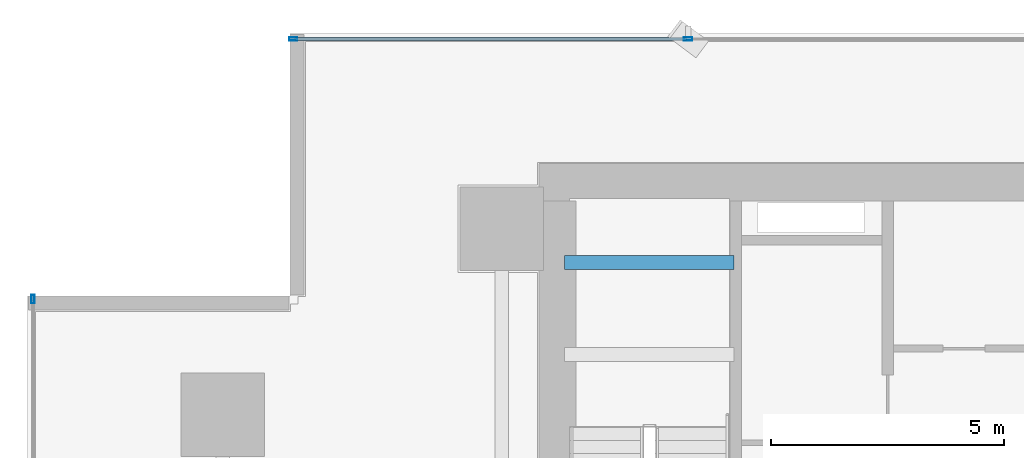
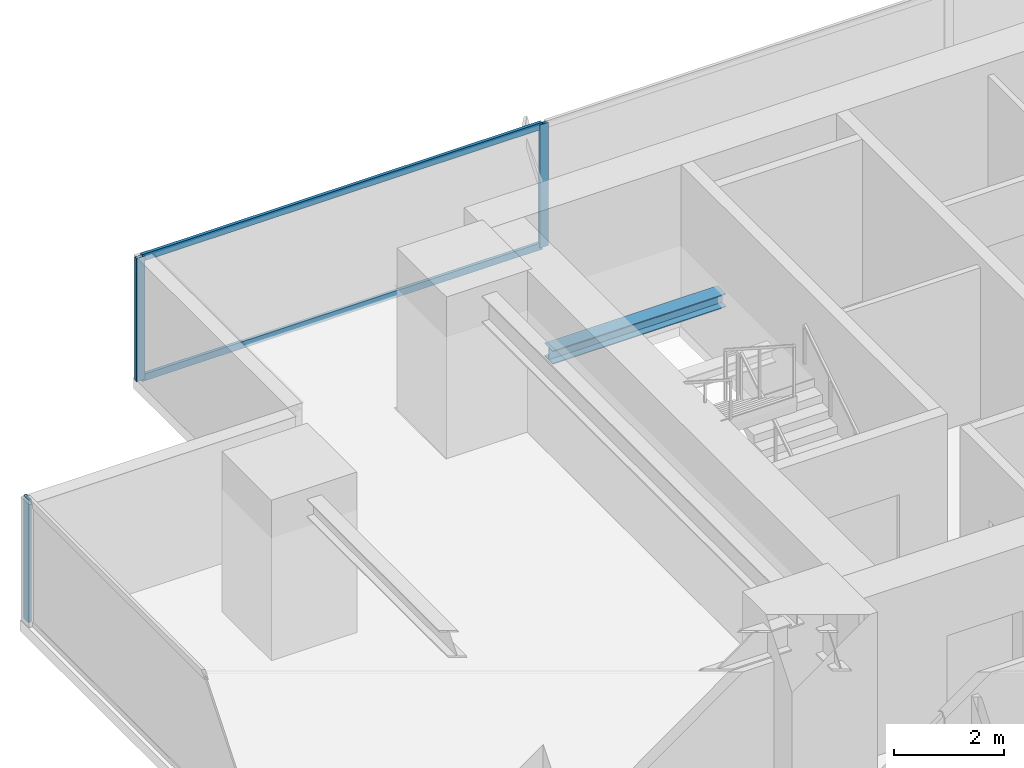
# One storey, part 18 of 34: 5 members, 1 beam, 2 elements without a shape of their own.
"""IFC4 building model written with IfcOpenShell, lengths in metres."""

from ifc_helpers import new_model, si_unit, direction, frame, origin, origin_2d, place, context, subcontext, project, spatial, hollow_rectangle, i_section, extrude, source, transform, mapped, material, layer, layer_set, material_profile, profile_set, type_object, element, aggregate, save


model = new_model("IFC4")

# Units and contexts
model_context = context("Model", 3, precision=1e-05, world=origin(), true_north=direction((0.0, 1.0)))
body_context = subcontext(model_context, "Body", "Model", "MODEL_VIEW")
ifc_project = project(units=[si_unit("LENGTHUNIT", "METRE"), si_unit("AREAUNIT", "SQUARE_METRE"), si_unit("VOLUMEUNIT", "CUBIC_METRE"), si_unit("PLANEANGLEUNIT", "RADIAN"), si_unit("MASSUNIT", "GRAM", prefix="KILO")], contexts=[model_context])

# Site, building, storey
site_placement = place(None, origin())
site = spatial("IfcSite", under=ifc_project, at=site_placement, CompositionType="ELEMENT")
building_placement = place(site_placement, origin())
building = spatial("IfcBuilding", under=site, at=building_placement, Name="Sumidabori Civic Tower", CompositionType="ELEMENT")
storey_placement = place(building_placement, frame((0.0, 0.0, 34.39990234375)))
storey = spatial("IfcBuildingStorey", under=building, at=storey_placement, Name="L08", CompositionType="ELEMENT", Elevation=34.39990234375)

# Beam
ifc_material_1 = material(Name="Steel SN490", Category="steel")
ifc_material_profile_1 = material_profile(ifc_material_1, i_section(OverallWidth=0.300048828125, OverallDepth=0.300048828125, WebThickness=0.010986328125, FlangeThickness=0.01904296875, at=origin_2d()), Name="HE 300 B")
ifc_profile_set_1 = profile_set([ifc_material_profile_1], Name="Steel SN490")
beam_type = type_object("IfcBeamType", Name="BM-LDG-300", PredefinedType="BEAM", material=ifc_profile_set_1)
shared_shape_1 = source(origin(), body_context, "Body", "SweptSolid", [
    extrude(i_section(OverallWidth=0.300048828125, OverallDepth=0.300048828125, WebThickness=0.010986328125, FlangeThickness=0.01904296875, at=origin_2d()), origin(), (0.0, 0.0, 1.0), 3.64990234375),
])
beam_placement = place(storey_placement, frame((-15.449951171875, 22.069580078125, 1.4501953125), z_axis=(1.0, 0.0, 0.0), x_axis=(0.0, 1.0, 0.0)))
element("IfcBeam", 1, at=beam_placement, inside=storey, type_object=beam_type, Name="Stair ST-1 Landing Trimmer Beam L08-1B", PredefinedType="BEAM", context=body_context, shape_type="MappedRepresentation", body=[
    mapped(shared_shape_1, transform((0.0, 0.0, 0.0), x_axis=(1.0, 0.0, 0.0), y_axis=(0.0, 1.0, 0.0), z_axis=(0.0, 0.0, 1.0), scale=1.0)),
])

# Curtain wall, members
ifc_material_2 = material(Name="Anodised Bronze Aluminium AW-6063-T6", Category="aluminium")
ifc_layer = layer(ifc_material_2, 0.179931640625, Name="Anodised Bronze Aluminium AW-6063-T6")
ifc_layer_set = layer_set([ifc_layer], Name="Anodised Bronze Aluminium AW-6063-T6")
curtain_wall_type = type_object("IfcCurtainWallType", Name="CW-SYS-2", PredefinedType="NOTDEFINED", material=ifc_layer_set)
curtain_wall_1_placement = place(storey_placement, origin())
curtain_wall_1 = element("IfcCurtainWall", 2, at=curtain_wall_1_placement, inside=storey, type_object=curtain_wall_type, Name="Curtain Wall CW:L08:R07", PredefinedType="NOTDEFINED")
ifc_material_profile_2 = material_profile(ifc_material_2, hollow_rectangle(XDim=0.070068359375, YDim=0.179931640625, WallThickness=0.006103515625, at=origin_2d()), Name="ALU MULLION 180x70")
ifc_profile_set_2 = profile_set([ifc_material_profile_2], Name="Anodised Bronze Aluminium AW-6063-T6")
member_type_1 = type_object("IfcMemberType", Name="CW-MUL-180", PredefinedType="MULLION", material=ifc_profile_set_2)
shared_shape_2 = source(origin(), body_context, "Body", "SweptSolid", [
    extrude(hollow_rectangle(XDim=0.070068359375, YDim=0.179931640625, WallThickness=0.006103515625, at=origin_2d()), origin(), (0.0, 0.0, 1.0), 2.739990234375),
])
member_1_placement = place(storey_placement, frame((-12.7919921875, 26.8798828125, 0.0), z_axis=(0.0, 0.0, 1.0), x_axis=(0.0, -1.0, 0.0)))
member_1 = element("IfcMember", 3, at=member_1_placement, type_object=member_type_1, Name="CW-2 mullion 5", PredefinedType="MULLION", context=body_context, shape_type="MappedRepresentation", body=[
    mapped(shared_shape_2, transform((0.0, 0.0, 0.0), x_axis=(1.0, 0.0, 0.0), y_axis=(0.0, 1.0, 0.0), z_axis=(0.0, 0.0, 1.0), scale=1.0)),
])
member_2_placement = place(storey_placement, frame((-21.284912109375, 26.8798828125, 0.0), z_axis=(0.0, 0.0, 1.0), x_axis=(0.0, -1.0, 0.0)))
member_2 = element("IfcMember", 4, at=member_2_placement, type_object=member_type_1, Name="CW-2 mullion 6", PredefinedType="MULLION", context=body_context, shape_type="MappedRepresentation", body=[
    mapped(shared_shape_2, transform((0.0, 0.0, 0.0), x_axis=(1.0, 0.0, 0.0), y_axis=(0.0, 1.0, 0.0), z_axis=(0.0, 0.0, 1.0), scale=1.0)),
])

# Curtain wall, member
curtain_wall_2_placement = place(storey_placement, origin())
curtain_wall_2 = element("IfcCurtainWall", 5, at=curtain_wall_2_placement, inside=storey, type_object=curtain_wall_type, Name="Curtain Wall CW:L08:R10", PredefinedType="NOTDEFINED")
member_3_placement = place(storey_placement, frame((-26.8798828125, 21.284912109375, 0.0), z_axis=(0.0, 0.0, 1.0), x_axis=(1.0, 0.0, 0.0)))
member_3 = element("IfcMember", 6, at=member_3_placement, type_object=member_type_1, Name="CW-2 mullion 1", PredefinedType="MULLION", context=body_context, shape_type="MappedRepresentation", body=[
    mapped(shared_shape_2, transform((0.0, 0.0, 0.0), x_axis=(1.0, 0.0, 0.0), y_axis=(0.0, 1.0, 0.0), z_axis=(0.0, 0.0, 1.0), scale=1.0)),
])
aggregate(curtain_wall_2, [member_3])

# Member
ifc_material_profile_3 = material_profile(ifc_material_2, hollow_rectangle(XDim=0.06494140625, YDim=0.14990234375, WallThickness=0.0048828125, at=origin_2d()), Name="ALU TRANSOM 150x65")
ifc_profile_set_3 = profile_set([ifc_material_profile_3], Name="Anodised Bronze Aluminium AW-6063-T6")
member_type_2 = type_object("IfcMemberType", Name="CW-TRN-150", PredefinedType="USERDEFINED", material=ifc_profile_set_3)
shared_shape_3 = source(origin(), body_context, "Body", "SweptSolid", [
    extrude(hollow_rectangle(XDim=0.06494140625, YDim=0.14990234375, WallThickness=0.0048828125, at=origin_2d()), origin(), (0.0, 0.0, 1.0), 8.423095703125),
])
member_4_placement = place(storey_placement, frame((-12.826904296875, 26.8798828125, 0.03271484375), z_axis=(-1.0, 0.0, 0.0), x_axis=(0.0, -1.0, 0.0)))
member_4 = element("IfcMember", 7, at=member_4_placement, type_object=member_type_2, Name="CW-2 transom 5.1", ObjectType="TRANSOM", PredefinedType="USERDEFINED", context=body_context, shape_type="MappedRepresentation", body=[
    mapped(shared_shape_3, transform((0.0, 0.0, 0.0), x_axis=(1.0, 0.0, 0.0), y_axis=(0.0, 1.0, 0.0), z_axis=(0.0, 0.0, 1.0), scale=1.0)),
])

member_5_placement = place(storey_placement, frame((-12.826904296875, 26.8798828125, 2.70751953125), z_axis=(-1.0, 0.0, 0.0), x_axis=(0.0, -1.0, 0.0)))
member_5 = element("IfcMember", 8, at=member_5_placement, type_object=member_type_2, Name="CW-2 transom 5.2", ObjectType="TRANSOM", PredefinedType="USERDEFINED", context=body_context, shape_type="MappedRepresentation", body=[
    mapped(shared_shape_3, transform((0.0, 0.0, 0.0), x_axis=(1.0, 0.0, 0.0), y_axis=(0.0, 1.0, 0.0), z_axis=(0.0, 0.0, 1.0), scale=1.0)),
])

aggregate(curtain_wall_1, [member_1, member_2, member_4, member_5])

save(model, "model.ifc")
